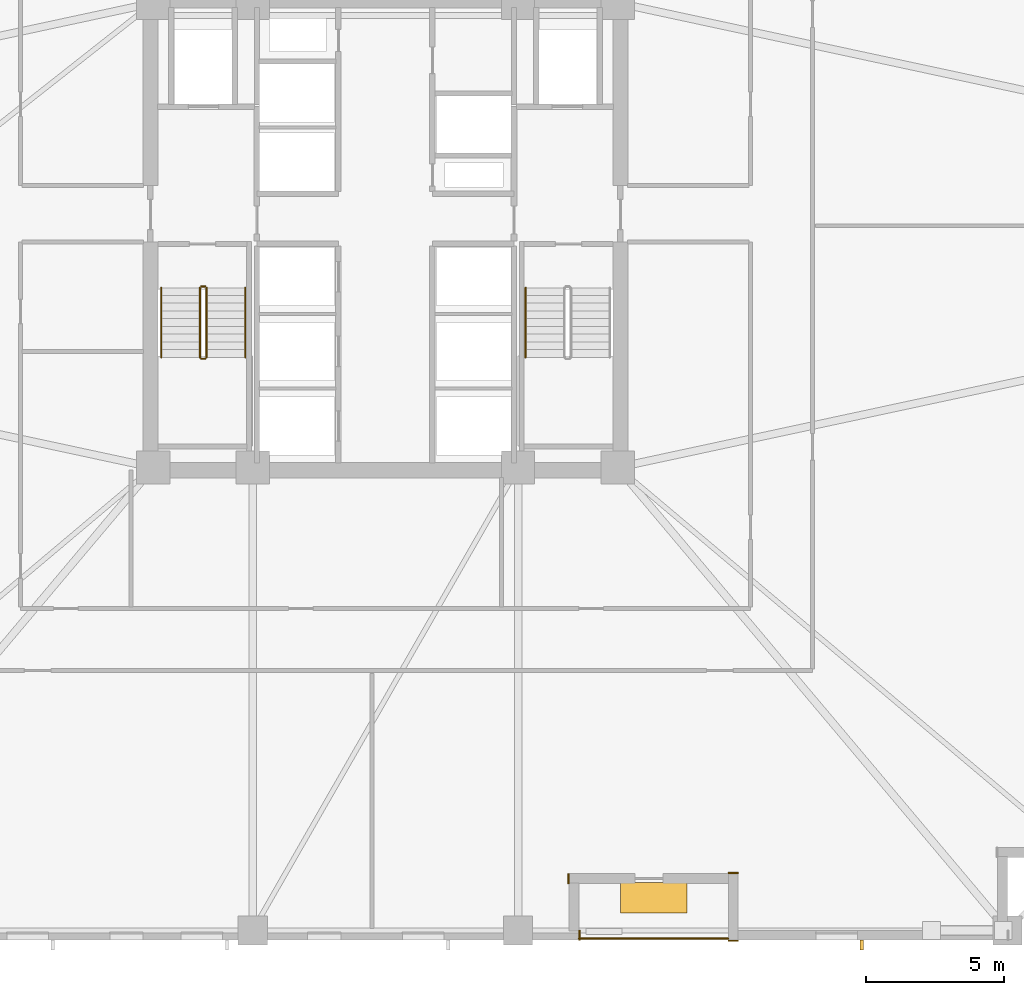
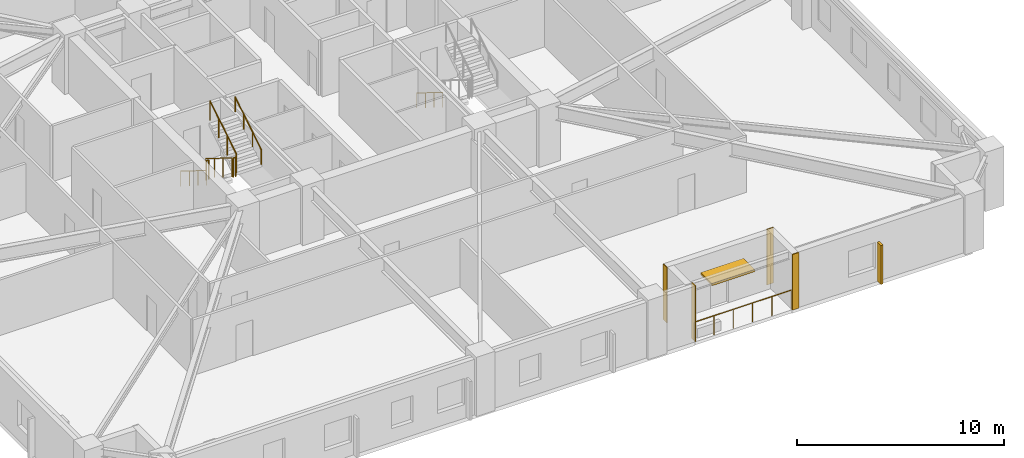
# One storey, part 8 of 11: 8 railings, 4 coverings, 2 shading devices.
"""IFC4 building model written with IfcOpenShell, lengths in metres."""

import ifcopenshell
import ifcopenshell.guid

model = None  # the IFC model being written
_history = None  # IfcOwnerHistory: only IFC2X3 demands one
_inside = {}  # id of a spatial element -> (the spatial element, [elements in it])
_under = {}  # id of a project, library or spatial element -> (it, [spatial elements below it])
_declared = {}  # id of a project -> (the project, [libraries it declares])
_typed = {}  # id of a type object -> (the type object, [elements of that type])
_made_of = {}  # id of a material, layer set ... -> (it, [elements and type objects made of it])


def new_model(schema):
    """Start an empty IFC model of exactly this schema.

    Asked for "IFC4X3", IfcOpenShell would pick the latest addendum, in which some entities
    have other attributes; the version numbers below select the first issue.
    IFC2X3 requires an IfcOwnerHistory on every rooted entity: one is made here for all.
    """
    global model, _history
    if schema == "IFC4X3":
        model = ifcopenshell.file(schema_version=(4, 3, 0, 0))
    else:
        model = ifcopenshell.file(schema=schema)
    _inside.clear()
    _under.clear()
    _declared.clear()
    _typed.clear()
    _made_of.clear()
    _history = None
    if model.schema == "IFC2X3":
        org = make("IfcOrganization", Name="unknown")
        user = make(
            "IfcPersonAndOrganization",
            ThePerson=make("IfcPerson", FamilyName="unknown"),
            TheOrganization=org,
        )
        app = make(
            "IfcApplication",
            ApplicationDeveloper=org,
            Version="unknown",
            ApplicationFullName="unknown",
            ApplicationIdentifier="unknown",
        )
        _history = make(
            "IfcOwnerHistory",
            OwningUser=user,
            OwningApplication=app,
            ChangeAction="ADDED",
            CreationDate=0,
        )
    return model


def make(cls, **values):
    """One entity of the class cls with the attributes given. An attribute that is None is left unset."""
    return model.create_entity(
        cls, **{name: value for name, value in values.items() if value is not None}
    )


def rooted(cls, **values):
    """An entity with a GlobalId (a new one), such as an element, a storey or a relation."""
    return make(cls, GlobalId=ifcopenshell.guid.new(), OwnerHistory=_history, **values)


def si_unit(unit_type, name, prefix=None):
    """IfcSIUnit, for example si_unit("LENGTHUNIT", "METRE", prefix="MILLI")."""
    return make("IfcSIUnit", UnitType=unit_type, Prefix=prefix, Name=name)


def assignment(units):
    """IfcUnitAssignment: the units of a project."""
    return None if units is None else make("IfcUnitAssignment", Units=units)


def point(xyz):
    """IfcCartesianPoint."""
    return None if xyz is None else make("IfcCartesianPoint", Coordinates=xyz)


def direction(xyz):
    """IfcDirection."""
    return None if xyz is None else make("IfcDirection", DirectionRatios=xyz)


def frame(location, z_axis=None, x_axis=None):
    """IfcAxis2Placement3D, a coordinate frame: its origin and axes. An axis left out is left unset."""
    return make(
        "IfcAxis2Placement3D",
        Location=point(location),
        Axis=direction(z_axis),
        RefDirection=direction(x_axis),
    )


def frame_2d(location, x_axis=None):
    """IfcAxis2Placement2D, a coordinate frame in the plane: its origin and x axis."""
    return make(
        "IfcAxis2Placement2D", Location=point(location), RefDirection=direction(x_axis)
    )


def origin():
    """The frame at (0, 0, 0) with its axes left unset."""
    return frame((0.0, 0.0, 0.0))


def origin_2d():
    """The frame at (0, 0) in the plane with its x axis left unset."""
    return frame_2d((0.0, 0.0))


def place(relative_to, where):
    """IfcLocalPlacement: puts the frame where relative to a parent placement (None: the world)."""
    return make(
        "IfcLocalPlacement", PlacementRelTo=relative_to, RelativePlacement=where
    )


def context(
    kind, dimensions, precision=None, world=None, true_north=None, identifier=None
):
    """IfcGeometricRepresentationContext, for example the 3D "Model" context."""
    return make(
        "IfcGeometricRepresentationContext",
        ContextIdentifier=identifier,
        ContextType=kind,
        CoordinateSpaceDimension=dimensions,
        Precision=precision,
        WorldCoordinateSystem=world,
        TrueNorth=true_north,
    )


def subcontext(parent, identifier, kind, view, scale=None):
    """IfcGeometricRepresentationSubContext, for example "Body" below "Model"."""
    return make(
        "IfcGeometricRepresentationSubContext",
        ContextIdentifier=identifier,
        ContextType=kind,
        ParentContext=parent,
        TargetScale=scale,
        TargetView=view,
    )


def project(units=None, contexts=None):
    """IfcProject with its units and contexts."""
    return rooted(
        "IfcProject",
        Name="project",
        RepresentationContexts=contexts,
        UnitsInContext=assignment(units),
    )


def spatial(cls, under=None, at=None, **own):
    """A site, building, storey or space (cls), placed at a placement, below another one or the project."""
    s = rooted(cls, ObjectPlacement=at, **own)
    if under is not None:
        _under.setdefault(under.id(), (under, []))[1].append(s)
    return s


def profile(cls, at=None, kind="AREA", **sizes):
    """A parametric profile (cls). Its sizes go by their IFC names, for example OverallWidth=200.0."""
    return make(cls, ProfileType=kind, Position=at, **sizes)


def rectangle(**sizes):
    """IfcRectangleProfileDef."""
    return profile("IfcRectangleProfileDef", **sizes)


def circle(**sizes):
    """IfcCircleProfileDef."""
    return profile("IfcCircleProfileDef", **sizes)


def extrude(swept, where, along, depth):
    """IfcExtrudedAreaSolid: the profile swept, set in the frame where, extruded along a direction by depth."""
    return make(
        "IfcExtrudedAreaSolid",
        SweptArea=swept,
        Position=where,
        ExtrudedDirection=direction(along),
        Depth=depth,
    )


def shape(context_of_items, identifier, shape_type, items):
    """IfcShapeRepresentation: the items that make up one representation, for example the "Body"."""
    return make(
        "IfcShapeRepresentation",
        ContextOfItems=context_of_items,
        RepresentationIdentifier=identifier,
        RepresentationType=shape_type,
        Items=items,
    )


def material(Name=None, Category=None):
    """IfcMaterial."""
    return make("IfcMaterial", Name=Name, Category=Category)


def layer(
    of_material, thickness, ventilated=None, Name=None, Category=None, Priority=None
):
    """IfcMaterialLayer: one layer of a wall or slab, of a material (None: an air gap)."""
    return make(
        "IfcMaterialLayer",
        Material=of_material,
        LayerThickness=thickness,
        IsVentilated=ventilated,
        Name=Name,
        Category=Category,
        Priority=Priority,
    )


def layer_set(layers, Name=None):
    """IfcMaterialLayerSet."""
    return make("IfcMaterialLayerSet", MaterialLayers=layers, LayerSetName=Name)


def made_of(thing, what):
    """Note that an element or type object is made of a material, layer set ...; save() writes the relation."""
    if what is not None:
        _made_of.setdefault(what.id(), (what, []))[1].append(thing)
    return thing


def type_object(cls, material=None, **own):
    """A type object (cls), such as IfcWallType, which elements share."""
    return made_of(rooted(cls, **own), material)


def element(
    cls,
    number,
    at=None,
    inside=None,
    cuts=None,
    type_object=None,
    material=None,
    context=None,
    identifier="Body",
    shape_type=None,
    held_by="IfcProductDefinitionShape",
    body=None,
    shapes=None,
    **own,
):
    """One element of the class cls, such as IfcWall. Its Tag is "e" and its number.

    at: its placement. inside: the storey or other place that contains it. cuts: it is an
    opening in that element (IfcRelVoidsElement). A single representation is given by context,
    identifier, shape_type and body (its items); several are given by shapes. held_by: the class
    of the entity that holds the representations. save() writes the other relations.
    """
    e = rooted(cls, Tag="e%d" % number, ObjectPlacement=at, **own)
    if body is not None:
        shapes = [shape(context, identifier, shape_type, body)]
    if shapes is not None:
        e.Representation = make(held_by, Representations=shapes)
    if inside is not None:
        _inside.setdefault(inside.id(), (inside, []))[1].append(e)
    if cuts is not None:
        rooted(
            "IfcRelVoidsElement", RelatingBuildingElement=cuts, RelatedOpeningElement=e
        )
    if type_object is not None:
        _typed.setdefault(type_object.id(), (type_object, []))[1].append(e)
    return made_of(e, material)


def aggregate(whole, parts):
    """IfcRelAggregates: a whole, such as a stair, and the parts it consists of."""
    return rooted("IfcRelAggregates", RelatingObject=whole, RelatedObjects=parts)


def save(model, path):
    """Write the relations noted so far, then the file.

    IfcRelAggregates (storeys below a building ...), IfcRelContainedInSpatialStructure (elements
    in a storey), IfcRelDefinesByType, IfcRelAssociatesMaterial and IfcRelDeclares: one each for
    every whole, place, type object, material and project.
    """
    for whole, parts in _under.values():
        aggregate(whole, parts)
    for where, things in _inside.values():
        rooted(
            "IfcRelContainedInSpatialStructure",
            RelatedElements=things,
            RelatingStructure=where,
        )
    for kind, things in _typed.values():
        rooted("IfcRelDefinesByType", RelatedObjects=things, RelatingType=kind)
    for what, things in _made_of.values():
        rooted("IfcRelAssociatesMaterial", RelatedObjects=things, RelatingMaterial=what)
    for by, libraries in _declared.values():
        rooted("IfcRelDeclares", RelatingContext=by, RelatedDefinitions=libraries)
    model.write(path)


model = new_model("IFC4")

# Units and contexts
model_context = context("Model", 3, precision=1e-05, world=origin(), true_north=direction((0.0, 1.0)))
body_context = subcontext(model_context, "Body", "Model", "MODEL_VIEW")
ifc_project = project(units=[si_unit("LENGTHUNIT", "METRE"), si_unit("AREAUNIT", "SQUARE_METRE"), si_unit("VOLUMEUNIT", "CUBIC_METRE"), si_unit("PLANEANGLEUNIT", "RADIAN"), si_unit("MASSUNIT", "GRAM", prefix="KILO")], contexts=[model_context])

# Site, building, storey
site_placement = place(None, origin())
site = spatial("IfcSite", under=ifc_project, at=site_placement, CompositionType="ELEMENT")
building_placement = place(site_placement, origin())
building = spatial("IfcBuilding", under=site, at=building_placement, Name="Cairnveth Concourse Tower", CompositionType="ELEMENT")
storey_placement = place(building_placement, frame((0.0, 0.0, 51.5)))
storey = spatial("IfcBuildingStorey", under=building, at=storey_placement, Name="L13", CompositionType="ELEMENT", Elevation=51.5)

# Coverings
ifc_material_1 = material(Name="Dressed Melbourne Bluestone Cladding", Category="masonry")
ifc_layer = layer(ifc_material_1, 0.050048828125)
ifc_layer_set = layer_set([ifc_layer], Name="Dressed Melbourne Bluestone Cladding")
covering_type = type_object("IfcCoveringType", Name="DRESSED BLUESTONE PLINTH CLADDING 50", PredefinedType="CLADDING", material=ifc_layer_set)
for number, where, z_axis, x_axis, name in (
    (1, (59.02001953125, 13.860107421875, 0.0), (0.0, 0.0, 1.0), (0.0, -1.0, 0.0), "Melbourne Bluestone Corner Quoin L13-151"),
    (2, (64.760009765625, 13.47998046875, 0.0), (0.0, 0.0, 1.0), (-1.0, 0.0, 0.0), "Melbourne Bluestone Corner Quoin L13-164"),
    (3, (64.760009765625, 15.929931640625, 0.0), (0.0, 0.0, 1.0), (-1.0, 0.0, 0.0), "Melbourne Bluestone Corner Quoin L13-165"),
):
    element("IfcCovering", number, at=place(storey_placement, frame(where, z_axis=z_axis, x_axis=x_axis)), inside=storey, type_object=covering_type, Name=name, PredefinedType="CLADDING", context=body_context, shape_type="SweptSolid", body=[
        extrude(rectangle(XDim=0.360107421875, YDim=0.050048828125, at=frame_2d((0.18017578125, 0.0))), origin(), (0.0, 0.0, 1.0), 3.280029296875),
    ])
covering_placement = place(storey_placement, frame((58.6201171875, 15.909912109375, 0.0), z_axis=(0.0, 0.0, 1.0), x_axis=(0.0, -1.0, 0.0)))
element("IfcCovering", 4, at=covering_placement, inside=storey, type_object=covering_type, Name="Melbourne Bluestone Corner Quoin L13-166", PredefinedType="CLADDING", context=body_context, shape_type="SweptSolid", body=[
    extrude(rectangle(XDim=0.35986328125, YDim=0.050048828125, at=frame_2d((0.179931640625, 0.0))), origin(), (0.0, 0.0, 1.0), 3.280029296875),
])

# Shading devices
ifc_material_2 = material(Name="Architectural Bronze Anodised Aluminium 6063-T6", Category="aluminium")
shading_device_type_1 = type_object("IfcShadingDeviceType", Name="GOTHIC BRONZE VERTICAL LANCET FIN", PredefinedType="USERDEFINED", material=ifc_material_2)
shading_device_1_placement = place(storey_placement, frame((69.22900390625, 13.324951171875, 0.02978515625), z_axis=(0.0, 0.0, 1.0), x_axis=(1.0, 0.0, 0.0)))
element("IfcShadingDevice", 5, at=shading_device_1_placement, inside=storey, type_object=shading_device_type_1, Name="Gothic Bronze Vertical Fin L13-12-1", ObjectType="VERTICAL FIN", PredefinedType="USERDEFINED", context=body_context, shape_type="SweptSolid", body=[
    extrude(rectangle(XDim=0.1201171875, YDim=0.360107421875, at=origin_2d()), origin(), (0.0, 0.0, 1.0), 2.303955078125),
])
shading_device_type_2 = type_object("IfcShadingDeviceType", Name="SPIRAL TERRACE SUNSHADE CANOPY", PredefinedType="USERDEFINED", material=ifc_material_2)
shading_device_2_placement = place(storey_placement, frame((61.699951171875, 15.030029296875, 2.183837890625), z_axis=(0.0, 0.0, 1.0), x_axis=(1.0, 0.0, 0.0)))
element("IfcShadingDevice", 6, at=shading_device_2_placement, inside=storey, type_object=shading_device_type_2, Name="Spiral Terrace Sunshade L13", ObjectType="TERRACE SUNSHADE", PredefinedType="USERDEFINED", context=body_context, shape_type="SweptSolid", body=[
    extrude(rectangle(XDim=2.39990234375, YDim=1.10009765625, at=origin_2d()), origin(), (0.0, 0.0, 1.0), 0.1201171875),
])

# Railings
ifc_material_3 = material(Name="Steel Grade 350", Category="steel")
railing_type_1 = type_object("IfcRailingType", Name="STAIR GUARDRAIL 1150", PredefinedType="GUARDRAIL", material=ifc_material_3)
railing_1_placement = place(storey_placement, frame((45.2900390625, 37.10009765625, 0.175048828125)))
element("IfcRailing", 7, at=railing_1_placement, inside=storey, type_object=railing_type_1, Name="L13 ST-1 stair guard 1", PredefinedType="GUARDRAIL", context=body_context, shape_type="SweptSolid", body=[
    extrude(circle(Radius=0.02392578125, at=origin_2d()), frame((0.0, 0.0, 1.1259765625), z_axis=(0.0, -0.848007534815, 0.529984170421), x_axis=(1.0, 0.0, 0.0)), (0.0, 0.0, 1.0), 2.9716796875),
    extrude(circle(Radius=0.02099609375, at=origin_2d()), origin(), (0.0, 0.0, 1.0), 1.101806640625),
    extrude(circle(Radius=0.02099609375, at=origin_2d()), frame((0.0, -0.840087890625, 0.52490234375)), (0.0, 0.0, 1.0), 1.101806640625),
    extrude(circle(Radius=0.02099609375, at=origin_2d()), frame((0.0, -1.679931640625, 1.050048828125)), (0.0, 0.0, 1.0), 1.101806640625),
    extrude(circle(Radius=0.02099609375, at=origin_2d()), frame((0.0, -2.52001953125, 1.574951171875)), (0.0, 0.0, 1.0), 1.101806640625),
])
railing_2_placement = place(storey_placement, frame((45.340087890625, 34.530029296875, 1.75)))
element("IfcRailing", 8, at=railing_2_placement, inside=storey, type_object=railing_type_1, Name="L13 ST-1 stair guard 2", PredefinedType="GUARDRAIL", context=body_context, shape_type="SweptSolid", body=[
    extrude(circle(Radius=0.02392578125, at=origin_2d()), frame((0.0, 0.0, 1.1259765625), z_axis=(1.0, 0.0, 0.0), x_axis=(0.0, 1.0, 0.0)), (0.0, 0.0, 1.0), 0.139892578125),
    extrude(circle(Radius=0.02099609375, at=origin_2d()), origin(), (0.0, 0.0, 1.0), 1.101806640625),
    extrude(circle(Radius=0.02099609375, at=origin_2d()), frame((0.139892578125, 0.0, 0.0)), (0.0, 0.0, 1.0), 1.101806640625),
])
railing_3_placement = place(storey_placement, frame((45.530029296875, 34.580078125, 1.925048828125)))
element("IfcRailing", 9, at=railing_3_placement, inside=storey, type_object=railing_type_1, Name="L13 ST-1 stair guard 3", PredefinedType="GUARDRAIL", context=body_context, shape_type="SweptSolid", body=[
    extrude(circle(Radius=0.02392578125, at=origin_2d()), frame((0.0, 0.0, 1.1259765625), z_axis=(0.0, 0.848007534815, 0.529984170421), x_axis=(-1.0, 0.0, 0.0)), (0.0, 0.0, 1.0), 2.9716796875),
    extrude(circle(Radius=0.02099609375, at=origin_2d()), origin(), (0.0, 0.0, 1.0), 1.101806640625),
    extrude(circle(Radius=0.02099609375, at=origin_2d()), frame((0.0, 0.840087890625, 0.52490234375)), (0.0, 0.0, 1.0), 1.101806640625),
    extrude(circle(Radius=0.02099609375, at=origin_2d()), frame((0.0, 1.679931640625, 1.050048828125)), (0.0, 0.0, 1.0), 1.101806640625),
    extrude(circle(Radius=0.02099609375, at=origin_2d()), frame((0.0, 2.52001953125, 1.574951171875)), (0.0, 0.0, 1.0), 1.101806640625),
])
railing_4_placement = place(storey_placement, frame((45.340087890625, 37.14990234375, 0.0)))
element("IfcRailing", 10, at=railing_4_placement, inside=storey, type_object=railing_type_1, Name="L13 ST-1 stair guard 4", PredefinedType="GUARDRAIL", context=body_context, shape_type="SweptSolid", body=[
    extrude(circle(Radius=0.02392578125, at=origin_2d()), frame((0.0, 0.0, 1.1259765625), z_axis=(1.0, 0.0, 0.0), x_axis=(0.0, 1.0, 0.0)), (0.0, 0.0, 1.0), 0.139892578125),
    extrude(circle(Radius=0.02099609375, at=origin_2d()), origin(), (0.0, 0.0, 1.0), 1.101806640625),
    extrude(circle(Radius=0.02099609375, at=origin_2d()), frame((0.139892578125, 0.0, 0.0)), (0.0, 0.0, 1.0), 1.101806640625),
])
railing_type_2 = type_object("IfcRailingType", Name="STAIR WALL HANDRAIL 900", PredefinedType="HANDRAIL", material=ifc_material_3)
railing_5_placement = place(storey_placement, frame((43.889892578125, 37.10009765625, 0.175048828125)))
element("IfcRailing", 11, at=railing_5_placement, inside=storey, type_object=railing_type_2, Name="L13 ST-1 stair handrail 1", PredefinedType="HANDRAIL", context=body_context, shape_type="SweptSolid", body=[
    extrude(circle(Radius=0.02392578125, at=origin_2d()), frame((0.0, 0.0, 0.8759765625), z_axis=(0.0, -0.848007534815, 0.529984170421), x_axis=(1.0, 0.0, 0.0)), (0.0, 0.0, 1.0), 2.9716796875),
    extrude(circle(Radius=0.02099609375, at=origin_2d()), origin(), (0.0, 0.0, 1.0), 0.851806640625),
    extrude(circle(Radius=0.02099609375, at=origin_2d()), frame((0.0, -0.840087890625, 0.52490234375)), (0.0, 0.0, 1.0), 0.851806640625),
    extrude(circle(Radius=0.02099609375, at=origin_2d()), frame((0.0, -1.679931640625, 1.050048828125)), (0.0, 0.0, 1.0), 0.851806640625),
    extrude(circle(Radius=0.02099609375, at=origin_2d()), frame((0.0, -2.52001953125, 1.574951171875)), (0.0, 0.0, 1.0), 0.851806640625),
])
railing_6_placement = place(storey_placement, frame((46.929931640625, 34.580078125, 1.925048828125)))
element("IfcRailing", 12, at=railing_6_placement, inside=storey, type_object=railing_type_2, Name="L13 ST-1 stair handrail 2", PredefinedType="HANDRAIL", context=body_context, shape_type="SweptSolid", body=[
    extrude(circle(Radius=0.02392578125, at=origin_2d()), frame((0.0, 0.0, 0.8759765625), z_axis=(0.0, 0.848007534815, 0.529984170421), x_axis=(-1.0, 0.0, 0.0)), (0.0, 0.0, 1.0), 2.9716796875),
    extrude(circle(Radius=0.02099609375, at=origin_2d()), origin(), (0.0, 0.0, 1.0), 0.851806640625),
    extrude(circle(Radius=0.02099609375, at=origin_2d()), frame((0.0, 0.840087890625, 0.52490234375)), (0.0, 0.0, 1.0), 0.851806640625),
    extrude(circle(Radius=0.02099609375, at=origin_2d()), frame((0.0, 1.679931640625, 1.050048828125)), (0.0, 0.0, 1.0), 0.851806640625),
    extrude(circle(Radius=0.02099609375, at=origin_2d()), frame((0.0, 2.52001953125, 1.574951171875)), (0.0, 0.0, 1.0), 0.851806640625),
])
railing_7_placement = place(storey_placement, frame((57.070068359375, 37.10009765625, 0.175048828125)))
element("IfcRailing", 13, at=railing_7_placement, inside=storey, type_object=railing_type_2, Name="L13 ST-2 stair handrail 1", PredefinedType="HANDRAIL", context=body_context, shape_type="SweptSolid", body=[
    extrude(circle(Radius=0.02392578125, at=origin_2d()), frame((0.0, 0.0, 0.8759765625), z_axis=(0.0, -0.848007534815, 0.529984170421), x_axis=(1.0, 0.0, 0.0)), (0.0, 0.0, 1.0), 2.9716796875),
    extrude(circle(Radius=0.02099609375, at=origin_2d()), origin(), (0.0, 0.0, 1.0), 0.851806640625),
    extrude(circle(Radius=0.02099609375, at=origin_2d()), frame((0.0, -0.840087890625, 0.52490234375)), (0.0, 0.0, 1.0), 0.851806640625),
    extrude(circle(Radius=0.02099609375, at=origin_2d()), frame((0.0, -1.679931640625, 1.050048828125)), (0.0, 0.0, 1.0), 0.851806640625),
    extrude(circle(Radius=0.02099609375, at=origin_2d()), frame((0.0, -2.52001953125, 1.574951171875)), (0.0, 0.0, 1.0), 0.851806640625),
])
railing_type_3 = type_object("IfcRailingType", Name="TERRACE BRONZE BALUSTRADE 1150", PredefinedType="BALUSTRADE", material=ifc_material_2)
railing_8_placement = place(storey_placement, frame((59.0, 13.56005859375, 0.0)))
element("IfcRailing", 14, at=railing_8_placement, inside=storey, type_object=railing_type_3, Name="Terrace Balustrade RL-L13-TERR", PredefinedType="BALUSTRADE", context=body_context, shape_type="SweptSolid", body=[
    extrude(circle(Radius=0.02490234375, at=origin_2d()), frame((0.0, 0.0, 1.125), z_axis=(1.0, 0.0, 0.0), x_axis=(0.0, 1.0, 0.0)), (0.0, 0.0, 1.0), 5.39990234375),
    extrude(circle(Radius=0.02099609375, at=origin_2d()), origin(), (0.0, 0.0, 1.0), 1.099853515625),
    extrude(circle(Radius=0.02099609375, at=origin_2d()), frame((1.080078125, 0.0, 0.0)), (0.0, 0.0, 1.0), 1.099853515625),
    extrude(circle(Radius=0.02099609375, at=origin_2d()), frame((2.159912109375, 0.0, 0.0)), (0.0, 0.0, 1.0), 1.099853515625),
    extrude(circle(Radius=0.02099609375, at=origin_2d()), frame((3.239990234375, 0.0, 0.0)), (0.0, 0.0, 1.0), 1.099853515625),
    extrude(circle(Radius=0.02099609375, at=origin_2d()), frame((4.31982421875, 0.0, 0.0)), (0.0, 0.0, 1.0), 1.099853515625),
    extrude(circle(Radius=0.02099609375, at=origin_2d()), frame((5.39990234375, 0.0, 0.0)), (0.0, 0.0, 1.0), 1.099853515625),
])

save(model, "model.ifc")
